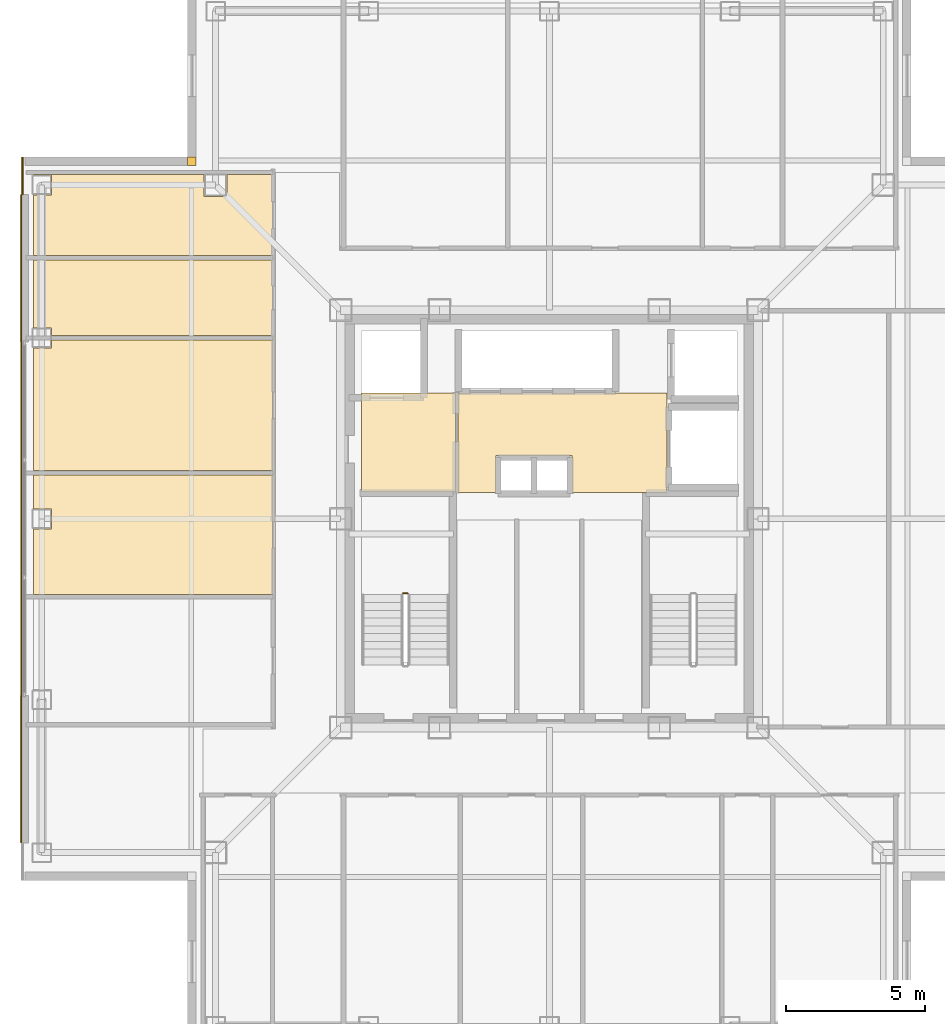
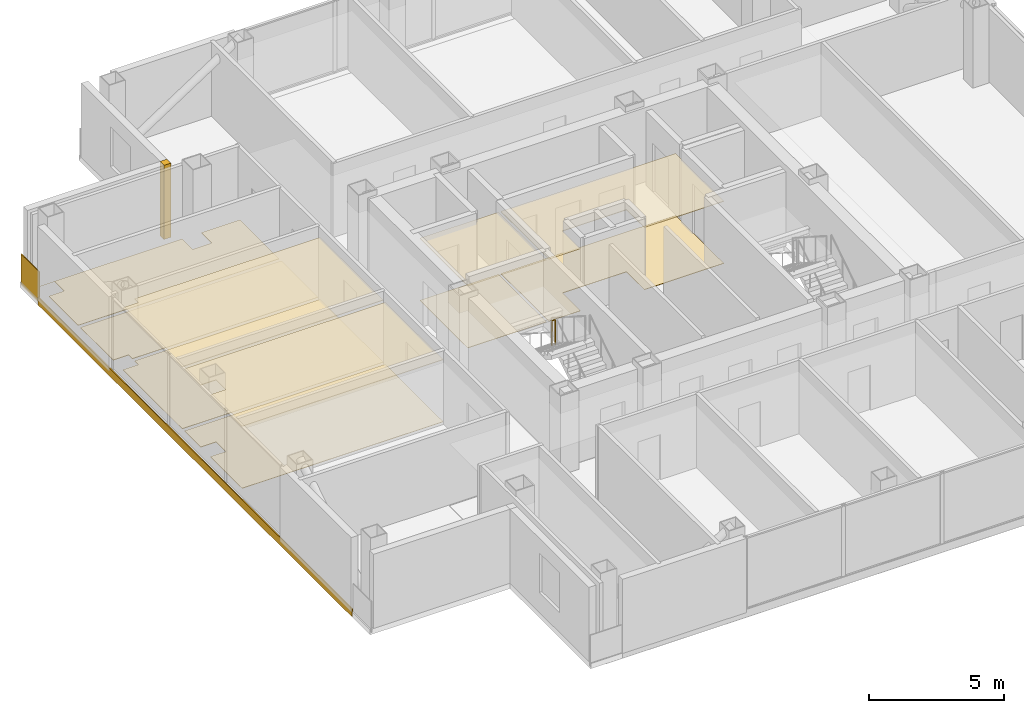
# One storey, part 13 of 16: 13 coverings, 1 railing.
"""IFC4 building model written with IfcOpenShell, lengths in metres."""

import ifcopenshell
import ifcopenshell.guid

model = None  # the IFC model being written
_history = None  # IfcOwnerHistory: only IFC2X3 demands one
_inside = {}  # id of a spatial element -> (the spatial element, [elements in it])
_under = {}  # id of a project, library or spatial element -> (it, [spatial elements below it])
_declared = {}  # id of a project -> (the project, [libraries it declares])
_typed = {}  # id of a type object -> (the type object, [elements of that type])
_made_of = {}  # id of a material, layer set ... -> (it, [elements and type objects made of it])


def new_model(schema):
    """Start an empty IFC model of exactly this schema.

    Asked for "IFC4X3", IfcOpenShell would pick the latest addendum, in which some entities
    have other attributes; the version numbers below select the first issue.
    IFC2X3 requires an IfcOwnerHistory on every rooted entity: one is made here for all.
    """
    global model, _history
    if schema == "IFC4X3":
        model = ifcopenshell.file(schema_version=(4, 3, 0, 0))
    else:
        model = ifcopenshell.file(schema=schema)
    _inside.clear()
    _under.clear()
    _declared.clear()
    _typed.clear()
    _made_of.clear()
    _history = None
    if model.schema == "IFC2X3":
        org = make("IfcOrganization", Name="unknown")
        user = make(
            "IfcPersonAndOrganization",
            ThePerson=make("IfcPerson", FamilyName="unknown"),
            TheOrganization=org,
        )
        app = make(
            "IfcApplication",
            ApplicationDeveloper=org,
            Version="unknown",
            ApplicationFullName="unknown",
            ApplicationIdentifier="unknown",
        )
        _history = make(
            "IfcOwnerHistory",
            OwningUser=user,
            OwningApplication=app,
            ChangeAction="ADDED",
            CreationDate=0,
        )
    return model


def make(cls, **values):
    """One entity of the class cls with the attributes given. An attribute that is None is left unset."""
    return model.create_entity(
        cls, **{name: value for name, value in values.items() if value is not None}
    )


def rooted(cls, **values):
    """An entity with a GlobalId (a new one), such as an element, a storey or a relation."""
    return make(cls, GlobalId=ifcopenshell.guid.new(), OwnerHistory=_history, **values)


def si_unit(unit_type, name, prefix=None):
    """IfcSIUnit, for example si_unit("LENGTHUNIT", "METRE", prefix="MILLI")."""
    return make("IfcSIUnit", UnitType=unit_type, Prefix=prefix, Name=name)


def assignment(units):
    """IfcUnitAssignment: the units of a project."""
    return None if units is None else make("IfcUnitAssignment", Units=units)


def point(xyz):
    """IfcCartesianPoint."""
    return None if xyz is None else make("IfcCartesianPoint", Coordinates=xyz)


def direction(xyz):
    """IfcDirection."""
    return None if xyz is None else make("IfcDirection", DirectionRatios=xyz)


def frame(location, z_axis=None, x_axis=None):
    """IfcAxis2Placement3D, a coordinate frame: its origin and axes. An axis left out is left unset."""
    return make(
        "IfcAxis2Placement3D",
        Location=point(location),
        Axis=direction(z_axis),
        RefDirection=direction(x_axis),
    )


def frame_2d(location, x_axis=None):
    """IfcAxis2Placement2D, a coordinate frame in the plane: its origin and x axis."""
    return make(
        "IfcAxis2Placement2D", Location=point(location), RefDirection=direction(x_axis)
    )


def origin():
    """The frame at (0, 0, 0) with its axes left unset."""
    return frame((0.0, 0.0, 0.0))


def origin_2d():
    """The frame at (0, 0) in the plane with its x axis left unset."""
    return frame_2d((0.0, 0.0))


def place(relative_to, where):
    """IfcLocalPlacement: puts the frame where relative to a parent placement (None: the world)."""
    return make(
        "IfcLocalPlacement", PlacementRelTo=relative_to, RelativePlacement=where
    )


def context(
    kind, dimensions, precision=None, world=None, true_north=None, identifier=None
):
    """IfcGeometricRepresentationContext, for example the 3D "Model" context."""
    return make(
        "IfcGeometricRepresentationContext",
        ContextIdentifier=identifier,
        ContextType=kind,
        CoordinateSpaceDimension=dimensions,
        Precision=precision,
        WorldCoordinateSystem=world,
        TrueNorth=true_north,
    )


def subcontext(parent, identifier, kind, view, scale=None):
    """IfcGeometricRepresentationSubContext, for example "Body" below "Model"."""
    return make(
        "IfcGeometricRepresentationSubContext",
        ContextIdentifier=identifier,
        ContextType=kind,
        ParentContext=parent,
        TargetScale=scale,
        TargetView=view,
    )


def project(units=None, contexts=None):
    """IfcProject with its units and contexts."""
    return rooted(
        "IfcProject",
        Name="project",
        RepresentationContexts=contexts,
        UnitsInContext=assignment(units),
    )


def spatial(cls, under=None, at=None, **own):
    """A site, building, storey or space (cls), placed at a placement, below another one or the project."""
    s = rooted(cls, ObjectPlacement=at, **own)
    if under is not None:
        _under.setdefault(under.id(), (under, []))[1].append(s)
    return s


def polyline(points):
    """IfcPolyline through the points."""
    return make("IfcPolyline", Points=[point(p) for p in points])


def profile(cls, at=None, kind="AREA", **sizes):
    """A parametric profile (cls). Its sizes go by their IFC names, for example OverallWidth=200.0."""
    return make(cls, ProfileType=kind, Position=at, **sizes)


def rectangle(**sizes):
    """IfcRectangleProfileDef."""
    return profile("IfcRectangleProfileDef", **sizes)


def circle(**sizes):
    """IfcCircleProfileDef."""
    return profile("IfcCircleProfileDef", **sizes)


def outline(outer, holes=None, kind="AREA"):
    """IfcArbitraryClosedProfileDef: a profile drawn as a closed curve; with holes, ...WithVoids."""
    if holes is None:
        return make("IfcArbitraryClosedProfileDef", ProfileType=kind, OuterCurve=outer)
    return make(
        "IfcArbitraryProfileDefWithVoids",
        ProfileType=kind,
        OuterCurve=outer,
        InnerCurves=holes,
    )


def extrude(swept, where, along, depth):
    """IfcExtrudedAreaSolid: the profile swept, set in the frame where, extruded along a direction by depth."""
    return make(
        "IfcExtrudedAreaSolid",
        SweptArea=swept,
        Position=where,
        ExtrudedDirection=direction(along),
        Depth=depth,
    )


def shape(context_of_items, identifier, shape_type, items):
    """IfcShapeRepresentation: the items that make up one representation, for example the "Body"."""
    return make(
        "IfcShapeRepresentation",
        ContextOfItems=context_of_items,
        RepresentationIdentifier=identifier,
        RepresentationType=shape_type,
        Items=items,
    )


def material(Name=None, Category=None):
    """IfcMaterial."""
    return make("IfcMaterial", Name=Name, Category=Category)


def layer(
    of_material, thickness, ventilated=None, Name=None, Category=None, Priority=None
):
    """IfcMaterialLayer: one layer of a wall or slab, of a material (None: an air gap)."""
    return make(
        "IfcMaterialLayer",
        Material=of_material,
        LayerThickness=thickness,
        IsVentilated=ventilated,
        Name=Name,
        Category=Category,
        Priority=Priority,
    )


def layer_set(layers, Name=None):
    """IfcMaterialLayerSet."""
    return make("IfcMaterialLayerSet", MaterialLayers=layers, LayerSetName=Name)


def made_of(thing, what):
    """Note that an element or type object is made of a material, layer set ...; save() writes the relation."""
    if what is not None:
        _made_of.setdefault(what.id(), (what, []))[1].append(thing)
    return thing


def type_object(cls, material=None, **own):
    """A type object (cls), such as IfcWallType, which elements share."""
    return made_of(rooted(cls, **own), material)


def element(
    cls,
    number,
    at=None,
    inside=None,
    cuts=None,
    type_object=None,
    material=None,
    context=None,
    identifier="Body",
    shape_type=None,
    held_by="IfcProductDefinitionShape",
    body=None,
    shapes=None,
    **own,
):
    """One element of the class cls, such as IfcWall. Its Tag is "e" and its number.

    at: its placement. inside: the storey or other place that contains it. cuts: it is an
    opening in that element (IfcRelVoidsElement). A single representation is given by context,
    identifier, shape_type and body (its items); several are given by shapes. held_by: the class
    of the entity that holds the representations. save() writes the other relations.
    """
    e = rooted(cls, Tag="e%d" % number, ObjectPlacement=at, **own)
    if body is not None:
        shapes = [shape(context, identifier, shape_type, body)]
    if shapes is not None:
        e.Representation = make(held_by, Representations=shapes)
    if inside is not None:
        _inside.setdefault(inside.id(), (inside, []))[1].append(e)
    if cuts is not None:
        rooted(
            "IfcRelVoidsElement", RelatingBuildingElement=cuts, RelatedOpeningElement=e
        )
    if type_object is not None:
        _typed.setdefault(type_object.id(), (type_object, []))[1].append(e)
    return made_of(e, material)


def aggregate(whole, parts):
    """IfcRelAggregates: a whole, such as a stair, and the parts it consists of."""
    return rooted("IfcRelAggregates", RelatingObject=whole, RelatedObjects=parts)


def save(model, path):
    """Write the relations noted so far, then the file.

    IfcRelAggregates (storeys below a building ...), IfcRelContainedInSpatialStructure (elements
    in a storey), IfcRelDefinesByType, IfcRelAssociatesMaterial and IfcRelDeclares: one each for
    every whole, place, type object, material and project.
    """
    for whole, parts in _under.values():
        aggregate(whole, parts)
    for where, things in _inside.values():
        rooted(
            "IfcRelContainedInSpatialStructure",
            RelatedElements=things,
            RelatingStructure=where,
        )
    for kind, things in _typed.values():
        rooted("IfcRelDefinesByType", RelatedObjects=things, RelatingType=kind)
    for what, things in _made_of.values():
        rooted("IfcRelAssociatesMaterial", RelatedObjects=things, RelatingMaterial=what)
    for by, libraries in _declared.values():
        rooted("IfcRelDeclares", RelatingContext=by, RelatedDefinitions=libraries)
    model.write(path)


model = new_model("IFC4")

# Units and contexts
model_context = context("Model", 3, precision=1e-05, world=origin(), true_north=direction((0.0, 1.0)))
body_context = subcontext(model_context, "Body", "Model", "MODEL_VIEW")
ifc_project = project(units=[si_unit("LENGTHUNIT", "METRE"), si_unit("AREAUNIT", "SQUARE_METRE"), si_unit("VOLUMEUNIT", "CUBIC_METRE"), si_unit("PLANEANGLEUNIT", "RADIAN"), si_unit("MASSUNIT", "GRAM", prefix="KILO")], contexts=[model_context])

# Site, building, storey
site_placement = place(None, origin())
site = spatial("IfcSite", under=ifc_project, at=site_placement, CompositionType="ELEMENT")
building_placement = place(site_placement, origin())
building = spatial("IfcBuilding", under=site, at=building_placement, Name="Trevonay Congress Spire", CompositionType="ELEMENT")
storey_placement = place(building_placement, frame((0.0, 0.0, 236.0)))
storey = spatial("IfcBuildingStorey", under=building, at=storey_placement, Name="L61", CompositionType="ELEMENT", Elevation=236.0)

# Coverings
ifc_material_1 = material(Name="Acoustic Mineral Fibre Board", Category="gypsum")
ifc_layer_1 = layer(ifc_material_1, 0.02490234375, Name="Acoustic Mineral Fibre Board")
ifc_layer_set_1 = layer_set([ifc_layer_1], Name="Acoustic Mineral Fibre Board")
covering_type_1 = type_object("IfcCoveringType", Name="COV-CEIL-ACOUSTIC", PredefinedType="CEILING", material=ifc_layer_set_1)
covering_1_placement = place(storey_placement, frame((0.0, 0.0, 2.81005859375)))
element("IfcCovering", 1, at=covering_1_placement, inside=storey, type_object=covering_type_1, Name="L61 Firefighting Lift Lobby West acoustic suspended ceiling", PredefinedType="CEILING", context=body_context, shape_type="SweptSolid", body=[
    extrude(outline(polyline([(-6.75, 0.9599609375), (-3.3798828125, 0.9599609375), (-3.3798828125, 4.52001953125), (-6.75, 4.52001953125), (-6.75, 0.9599609375)])), origin(), (0.0, 0.0, 1.0), 0.02490234375),
])
covering_2_placement = place(storey_placement, frame((0.0, 0.0, 2.81005859375)))
element("IfcCovering", 2, at=covering_2_placement, inside=storey, type_object=covering_type_1, Name="L61 Central and High-Rise Passenger Lift Lobby acoustic suspended ceiling", PredefinedType="CEILING", context=body_context, shape_type="SweptSolid", body=[
    extrude(outline(polyline([(-3.280029296875, 0.949951171875), (-1.919921875, 0.949951171875), (-1.919921875, 2.280029296875), (0.820068359375, 2.280029296875), (0.820068359375, 0.949951171875), (4.219970703125, 0.949951171875), (4.219970703125, 4.52001953125), (-3.280029296875, 4.52001953125), (-3.280029296875, 0.949951171875)])), origin(), (0.0, 0.0, 1.0), 0.02490234375),
])
covering_3_placement = place(storey_placement, frame((0.0, 0.0, 2.81005859375)))
element("IfcCovering", 3, at=covering_3_placement, inside=storey, type_object=covering_type_1, Name="L61 Press Attache Office acoustic suspended ceiling", PredefinedType="CEILING", context=body_context, shape_type="SweptSolid", body=[
    extrude(outline(polyline([(-18.550048828125, 1.570068359375), (-9.929931640625, 1.570068359375), (-9.929931640625, -2.719970703125), (-18.550048828125, -2.719970703125), (-18.550048828125, -0.360107421875), (-17.889892578125, -0.360107421875), (-17.889892578125, 0.360107421875), (-18.550048828125, 0.360107421875), (-18.550048828125, 1.570068359375)])), origin(), (0.0, 0.0, 1.0), 0.02490234375),
])
covering_4_placement = place(storey_placement, frame((0.0, 0.0, 2.81005859375)))
element("IfcCovering", 4, at=covering_4_placement, inside=storey, type_object=covering_type_1, Name="L61 Registry Cipher Office acoustic suspended ceiling", PredefinedType="CEILING", context=body_context, shape_type="SweptSolid", body=[
    extrude(outline(polyline([(-9.929931640625, 6.419921875), (-9.929931640625, 1.72998046875), (-18.550048828125, 1.72998046875), (-18.550048828125, 6.139892578125), (-17.889892578125, 6.139892578125), (-17.889892578125, 6.419921875), (-9.929931640625, 6.419921875)])), origin(), (0.0, 0.0, 1.0), 0.02490234375),
])
ifc_material_2 = material(Name="Polished Granite Floor Tile", Category="masonry")
ifc_layer_2 = layer(ifc_material_2, 0.02001953125, Name="Polished Granite Floor Tile")
ifc_layer_set_2 = layer_set([ifc_layer_2], Name="Polished Granite Floor Tile")
covering_type_2 = type_object("IfcCoveringType", Name="COV-FLOOR-STONE", PredefinedType="FLOORING", material=ifc_layer_set_2)
covering_5_placement = place(storey_placement, origin())
element("IfcCovering", 5, at=covering_5_placement, inside=storey, type_object=covering_type_2, Name="L61 Firefighting Lift Lobby West floor finish", PredefinedType="FLOORING", context=body_context, shape_type="SweptSolid", body=[
    extrude(outline(polyline([(-6.75, 0.9599609375), (-3.3798828125, 0.9599609375), (-3.3798828125, 4.52001953125), (-6.75, 4.52001953125), (-6.75, 0.9599609375)])), origin(), (0.0, 0.0, 1.0), 0.02001953125),
])
covering_6_placement = place(storey_placement, origin())
element("IfcCovering", 6, at=covering_6_placement, inside=storey, type_object=covering_type_2, Name="L61 Central and High-Rise Passenger Lift Lobby floor finish", PredefinedType="FLOORING", context=body_context, shape_type="SweptSolid", body=[
    extrude(outline(polyline([(-3.280029296875, 0.949951171875), (-1.919921875, 0.949951171875), (-1.919921875, 2.280029296875), (0.820068359375, 2.280029296875), (0.820068359375, 0.949951171875), (4.219970703125, 0.949951171875), (4.219970703125, 4.52001953125), (-3.280029296875, 4.52001953125), (-3.280029296875, 0.949951171875)])), origin(), (0.0, 0.0, 1.0), 0.02001953125),
])
covering_7_placement = place(storey_placement, origin())
element("IfcCovering", 7, at=covering_7_placement, inside=storey, type_object=covering_type_2, Name="L61 Male Restroom WC floor finish", PredefinedType="FLOORING", context=body_context, shape_type="SweptSolid", body=[
    extrude(outline(polyline([(-18.550048828125, 9.300048828125), (-9.929931640625, 9.300048828125), (-9.929931640625, 6.580078125), (-17.889892578125, 6.580078125), (-17.889892578125, 6.860107421875), (-18.550048828125, 6.860107421875), (-18.550048828125, 9.300048828125)])), origin(), (0.0, 0.0, 1.0), 0.02001953125),
])
covering_8_placement = place(storey_placement, origin())
element("IfcCovering", 8, at=covering_8_placement, inside=storey, type_object=covering_type_2, Name="L61 Floor Supplies and Copy Room floor finish", PredefinedType="FLOORING", context=body_context, shape_type="SweptSolid", body=[
    extrude(outline(polyline([(-9.929931640625, 12.3701171875), (-9.929931640625, 9.4599609375), (-18.550048828125, 9.4599609375), (-18.550048828125, 11.639892578125), (-17.889892578125, 11.639892578125), (-17.889892578125, 12.360107421875), (-18.550048828125, 12.360107421875), (-18.550048828125, 12.3701171875), (-12.409912109375, 12.3701171875), (-12.409912109375, 11.590087890625), (-11.590087890625, 11.590087890625), (-11.590087890625, 12.3701171875), (-9.929931640625, 12.3701171875)])), origin(), (0.0, 0.0, 1.0), 0.02001953125),
])
ifc_material_3 = material(Name="Engineered Oak Flooring", Category="wood")
ifc_layer_3 = layer(ifc_material_3, 0.01806640625, Name="Engineered Oak Flooring")
ifc_layer_set_3 = layer_set([ifc_layer_3], Name="Engineered Oak Flooring")
covering_type_3 = type_object("IfcCoveringType", Name="COV-FLOOR-TIMBER", PredefinedType="FLOORING", material=ifc_layer_set_3)
covering_9_placement = place(storey_placement, origin())
element("IfcCovering", 9, at=covering_9_placement, inside=storey, type_object=covering_type_3, Name="L61 Press Attache Office floor finish", PredefinedType="FLOORING", context=body_context, shape_type="SweptSolid", body=[
    extrude(outline(polyline([(-18.550048828125, 1.570068359375), (-9.929931640625, 1.570068359375), (-9.929931640625, -2.719970703125), (-18.550048828125, -2.719970703125), (-18.550048828125, -0.360107421875), (-17.889892578125, -0.360107421875), (-17.889892578125, 0.360107421875), (-18.550048828125, 0.360107421875), (-18.550048828125, 1.570068359375)])), origin(), (0.0, 0.0, 1.0), 0.01806640625),
])
covering_10_placement = place(storey_placement, origin())
element("IfcCovering", 10, at=covering_10_placement, inside=storey, type_object=covering_type_3, Name="L61 Registry Cipher Office floor finish", PredefinedType="FLOORING", context=body_context, shape_type="SweptSolid", body=[
    extrude(outline(polyline([(-9.929931640625, 6.419921875), (-9.929931640625, 1.72998046875), (-18.550048828125, 1.72998046875), (-18.550048828125, 6.139892578125), (-17.889892578125, 6.139892578125), (-17.889892578125, 6.419921875), (-9.929931640625, 6.419921875)])), origin(), (0.0, 0.0, 1.0), 0.01806640625),
])
ifc_material_4 = material(Name="Pale Anodised Aluminium EN AW-6063-T6", Category="aluminium")
ifc_layer_4 = layer(ifc_material_4, 0.0400390625, Name="Pale Anodised Aluminium EN AW-6063-T6")
ifc_layer_set_4 = layer_set([ifc_layer_4], Name="Pale Anodised Aluminium EN AW-6063-T6")
covering_type_4 = type_object("IfcCoveringType", Name="COV-SPANDREL-PALE-METAL", PredefinedType="CLADDING", material=ifc_layer_set_4)
covering_11_placement = place(storey_placement, frame((-18.97998046875, -11.64990234375, -0.239990234375), z_axis=(0.0, 0.0, 1.0), x_axis=(0.0, 1.0, 0.0)))
element("IfcCovering", 11, at=covering_11_placement, inside=storey, type_object=covering_type_4, Name="L61 W pale-metal slab-edge spandrel cladding", PredefinedType="CLADDING", context=body_context, shape_type="SweptSolid", body=[
    extrude(rectangle(XDim=23.2998046875, YDim=0.0400390625, at=frame_2d((11.64990234375, 0.0))), origin(), (0.0, 0.0, 1.0), 0.360107421875),
])
covering_12_placement = place(storey_placement, origin())
element("IfcCovering", 12, at=covering_12_placement, inside=storey, type_object=covering_type_4, Name="L61 NW re-entrant notch corner closure trim", PredefinedType="CLADDING", context=body_context, shape_type="SweptSolid", body=[
    extrude(outline(polyline([(-13.0, 12.699951171875), (-12.699951171875, 12.699951171875), (-12.699951171875, 13.0), (-13.0, 13.0), (-13.0, 12.699951171875)])), origin(), (0.0, 0.0, 1.0), 3.360107421875),
])
covering_13_placement = place(storey_placement, frame((-18.93994140625, 11.64990234375, -0.14990234375), z_axis=(0.0, 0.0, 1.0), x_axis=(0.0, 1.0, 0.0)))
element("IfcCovering", 13, at=covering_13_placement, inside=storey, type_object=covering_type_4, Name="L61 NW corner pier spandrel cladding 1", PredefinedType="CLADDING", context=body_context, shape_type="SweptSolid", body=[
    extrude(rectangle(XDim=1.35009765625, YDim=0.0400390625, at=frame_2d((0.675048828125, 0.0))), origin(), (0.0, 0.0, 1.0), 1.39990234375),
])

# Railing
railing_type = type_object("IfcRailingType", Name="RAL-STAIR-GUARD-110", PredefinedType="GUARDRAIL", material=ifc_material_4)
railing_placement = place(storey_placement, frame((-5.10009765625, -2.679931640625, 1.800048828125)))
element("IfcRailing", 14, at=railing_placement, inside=storey, type_object=railing_type, Name="L61 ST-1 stair guard 2", PredefinedType="GUARDRAIL", context=body_context, shape_type="SweptSolid", body=[
    extrude(circle(Radius=0.02392578125, at=origin_2d()), frame((0.0, 0.0, 1.1259765625), z_axis=(-1.0, 0.0, 0.0), x_axis=(0.0, -1.0, 0.0)), (0.0, 0.0, 1.0), 0.14990234375),
    extrude(circle(Radius=0.02099609375, at=origin_2d()), origin(), (0.0, 0.0, 1.0), 1.101806640625),
    extrude(circle(Radius=0.02099609375, at=origin_2d()), frame((-0.14990234375, 0.0, 0.0)), (0.0, 0.0, 1.0), 1.101806640625),
])

save(model, "model.ifc")
